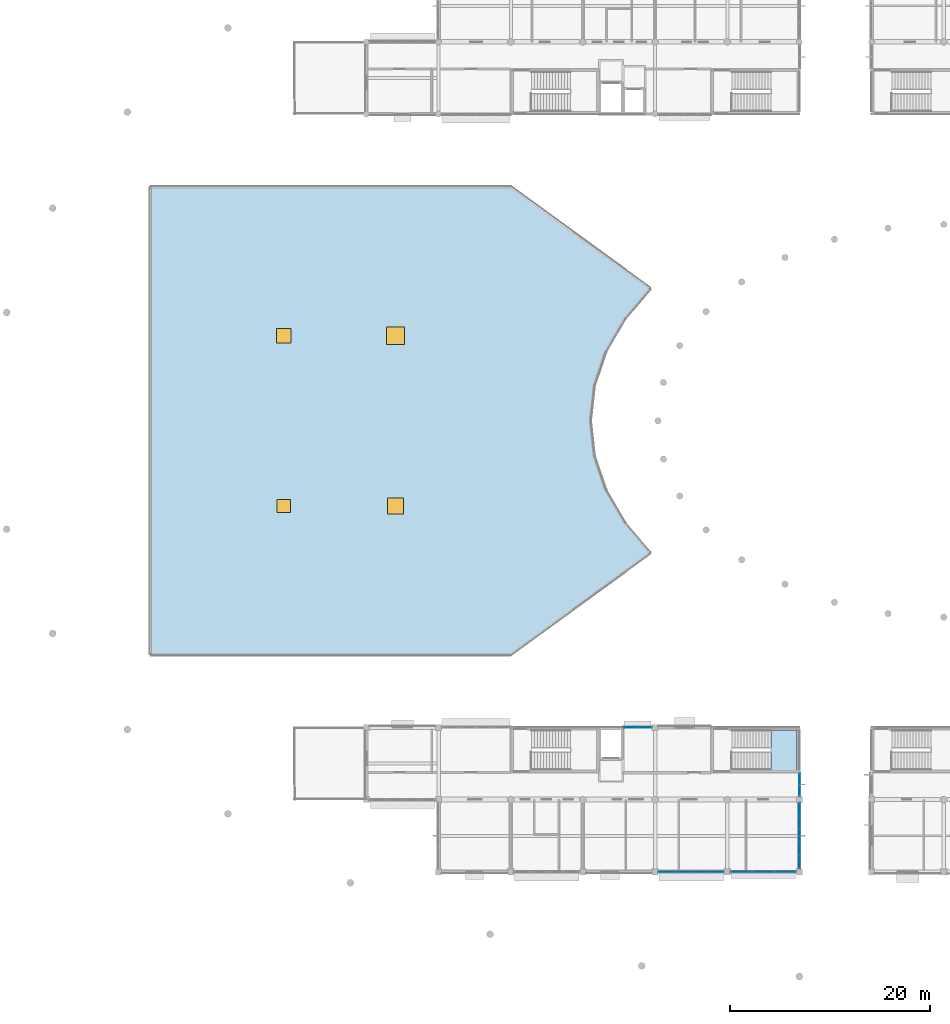
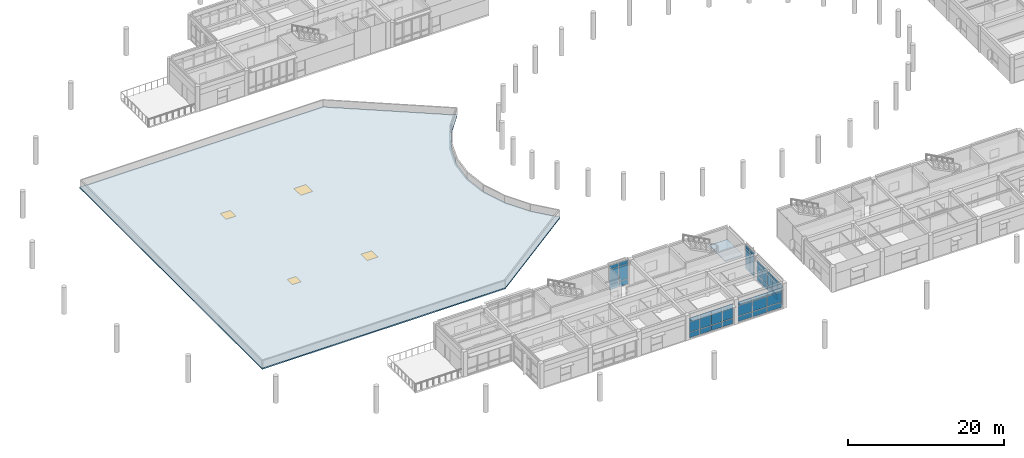
# One storey, part 16 of 55: 48 plates, 4 windows, 2 slabs, 4 openings, 6 elements without a shape of their own.
"""IFC4 building model written with IfcOpenShell, lengths in metres."""

from ifc_helpers import new_model, si_unit, direction, frame, origin, origin_2d, place, context, subcontext, project, spatial, polyline, rectangle, outline, extrude, material, layer, layer_set, type_object, element, fill, aggregate, save


model = new_model("IFC4")

# Units and contexts
model_context = context("Model", 3, precision=1e-05, world=origin(), true_north=direction((0.0, 1.0)))
body_context = subcontext(model_context, "Body", "Model", "MODEL_VIEW")
ifc_project = project(units=[si_unit("LENGTHUNIT", "METRE"), si_unit("AREAUNIT", "SQUARE_METRE"), si_unit("VOLUMEUNIT", "CUBIC_METRE"), si_unit("PLANEANGLEUNIT", "RADIAN"), si_unit("MASSUNIT", "GRAM", prefix="KILO")], contexts=[model_context])

# Site, building, storey
site_placement = place(None, origin())
site = spatial("IfcSite", under=ifc_project, at=site_placement, CompositionType="ELEMENT")
building_placement = place(site_placement, origin())
building = spatial("IfcBuilding", under=site, at=building_placement, Name="Namkhue Oval Health Centre", CompositionType="ELEMENT")
storey_placement = place(building_placement, frame((0.0, 0.0, 9.60009765625)))
storey = spatial("IfcBuildingStorey", under=building, at=storey_placement, Name="L02", CompositionType="ELEMENT", Elevation=9.60009765625)

# Curtain wall, plates
ifc_material_1 = material(Name="Anodised aluminium EN AW-6063 T6", Category="aluminium")
ifc_layer_1 = layer(ifc_material_1, 0.159912109375)
ifc_layer_set_1 = layer_set([ifc_layer_1], Name="Anodised aluminium EN AW-6063 T6")
curtain_wall_type_1 = type_object("IfcCurtainWallType", Name="UNITISED CURTAIN WALL M1800", PredefinedType="NOTDEFINED", material=ifc_layer_set_1)
curtain_wall_1_placement = place(storey_placement, origin())
curtain_wall_1 = element("IfcCurtainWall", 1, at=curtain_wall_1_placement, inside=storey, type_object=curtain_wall_type_1, Name="Volume V4 L02 Unitised Curtain Wall 161", PredefinedType="NOTDEFINED")
ifc_material_2 = material(Name="Thermally broken low-E laminated double glazing", Category="glass")
ifc_layer_2 = layer(ifc_material_2, 0.02587890625)
ifc_layer_set_2 = layer_set([ifc_layer_2], Name="Thermally broken low-E laminated double glazing")
plate_type_1 = type_object("IfcPlateType", Name="CURTAIN WALL GLAZED PANEL 26", PredefinedType="CURTAIN_PANEL", material=ifc_layer_set_2)
plate_1_placement = place(storey_placement, frame((73.1494140625, 14.39990234375, 0.06494140625), z_axis=(0.0, 0.0, 1.0), x_axis=(1.0, 0.0, 0.0)))
plate_1 = element("IfcPlate", 2, at=plate_1_placement, type_object=plate_type_1, Name="CW-05 panel 1.1", PredefinedType="CURTAIN_PANEL", context=body_context, shape_type="SweptSolid", body=[
    extrude(rectangle(XDim=1.547119140625, YDim=0.02587890625, at=origin_2d()), origin(), (0.0, 0.0, 1.0), 0.802490234375),
])
plate_2_placement = place(storey_placement, frame((73.1494140625, 14.39990234375, 0.9326171875), z_axis=(0.0, 0.0, 1.0), x_axis=(1.0, 0.0, 0.0)))
plate_2 = element("IfcPlate", 3, at=plate_2_placement, type_object=plate_type_1, Name="CW-05 panel 1.2", PredefinedType="CURTAIN_PANEL", context=body_context, shape_type="SweptSolid", body=[
    extrude(rectangle(XDim=1.547119140625, YDim=0.02587890625, at=origin_2d()), origin(), (0.0, 0.0, 1.0), 1.635009765625),
])
plate_3_placement = place(storey_placement, frame((73.1494140625, 14.39990234375, 2.63232421875), z_axis=(0.0, 0.0, 1.0), x_axis=(1.0, 0.0, 0.0)))
plate_3 = element("IfcPlate", 4, at=plate_3_placement, type_object=plate_type_1, Name="CW-05 panel 1.3", PredefinedType="CURTAIN_PANEL", context=body_context, shape_type="SweptSolid", body=[
    extrude(rectangle(XDim=1.547119140625, YDim=0.02587890625, at=origin_2d()), origin(), (0.0, 0.0, 1.0), 0.552490234375),
])
plate_4_placement = place(storey_placement, frame((74.77783203125, 14.39990234375, 0.06494140625), z_axis=(0.0, 0.0, 1.0), x_axis=(1.0, 0.0, 0.0)))
plate_4 = element("IfcPlate", 5, at=plate_4_placement, type_object=plate_type_1, Name="CW-05 panel 2.1", PredefinedType="CURTAIN_PANEL", context=body_context, shape_type="SweptSolid", body=[
    extrude(rectangle(XDim=1.57958984375, YDim=0.02587890625, at=origin_2d()), origin(), (0.0, 0.0, 1.0), 0.802490234375),
])
plate_5_placement = place(storey_placement, frame((74.77783203125, 14.39990234375, 0.9326171875), z_axis=(0.0, 0.0, 1.0), x_axis=(1.0, 0.0, 0.0)))
plate_5 = element("IfcPlate", 6, at=plate_5_placement, type_object=plate_type_1, Name="CW-05 panel 2.2", PredefinedType="CURTAIN_PANEL", context=body_context, shape_type="SweptSolid", body=[
    extrude(rectangle(XDim=1.57958984375, YDim=0.02587890625, at=origin_2d()), origin(), (0.0, 0.0, 1.0), 1.635009765625),
])
plate_6_placement = place(storey_placement, frame((74.77783203125, 14.39990234375, 2.63232421875), z_axis=(0.0, 0.0, 1.0), x_axis=(1.0, 0.0, 0.0)))
plate_6 = element("IfcPlate", 7, at=plate_6_placement, type_object=plate_type_1, Name="CW-05 panel 2.3", PredefinedType="CURTAIN_PANEL", context=body_context, shape_type="SweptSolid", body=[
    extrude(rectangle(XDim=1.57958984375, YDim=0.02587890625, at=origin_2d()), origin(), (0.0, 0.0, 1.0), 0.552490234375),
])
plate_7_placement = place(storey_placement, frame((76.42236328125, 14.39990234375, 0.06494140625), z_axis=(0.0, 0.0, 1.0), x_axis=(1.0, 0.0, 0.0)))
plate_7 = element("IfcPlate", 8, at=plate_7_placement, type_object=plate_type_1, Name="CW-05 panel 3.1", PredefinedType="CURTAIN_PANEL", context=body_context, shape_type="SweptSolid", body=[
    extrude(rectangle(XDim=1.57958984375, YDim=0.02587890625, at=origin_2d()), origin(), (0.0, 0.0, 1.0), 0.802490234375),
])
plate_8_placement = place(storey_placement, frame((76.42236328125, 14.39990234375, 0.9326171875), z_axis=(0.0, 0.0, 1.0), x_axis=(1.0, 0.0, 0.0)))
plate_8 = element("IfcPlate", 9, at=plate_8_placement, type_object=plate_type_1, Name="CW-05 panel 3.2", PredefinedType="CURTAIN_PANEL", context=body_context, shape_type="SweptSolid", body=[
    extrude(rectangle(XDim=1.57958984375, YDim=0.02587890625, at=origin_2d()), origin(), (0.0, 0.0, 1.0), 1.635009765625),
])
plate_9_placement = place(storey_placement, frame((76.42236328125, 14.39990234375, 2.63232421875), z_axis=(0.0, 0.0, 1.0), x_axis=(1.0, 0.0, 0.0)))
plate_9 = element("IfcPlate", 10, at=plate_9_placement, type_object=plate_type_1, Name="CW-05 panel 3.3", PredefinedType="CURTAIN_PANEL", context=body_context, shape_type="SweptSolid", body=[
    extrude(rectangle(XDim=1.57958984375, YDim=0.02587890625, at=origin_2d()), origin(), (0.0, 0.0, 1.0), 0.552490234375),
])
plate_10_placement = place(storey_placement, frame((78.050537109375, 14.39990234375, 0.06494140625), z_axis=(0.0, 0.0, 1.0), x_axis=(1.0, 0.0, 0.0)))
plate_10 = element("IfcPlate", 11, at=plate_10_placement, type_object=plate_type_1, Name="CW-05 panel 4.1", PredefinedType="CURTAIN_PANEL", context=body_context, shape_type="SweptSolid", body=[
    extrude(rectangle(XDim=1.547119140625, YDim=0.02587890625, at=origin_2d()), origin(), (0.0, 0.0, 1.0), 0.802490234375),
])
plate_11_placement = place(storey_placement, frame((78.050537109375, 14.39990234375, 0.9326171875), z_axis=(0.0, 0.0, 1.0), x_axis=(1.0, 0.0, 0.0)))
plate_11 = element("IfcPlate", 12, at=plate_11_placement, type_object=plate_type_1, Name="CW-05 panel 4.2", PredefinedType="CURTAIN_PANEL", context=body_context, shape_type="SweptSolid", body=[
    extrude(rectangle(XDim=1.547119140625, YDim=0.02587890625, at=origin_2d()), origin(), (0.0, 0.0, 1.0), 1.635009765625),
])
plate_12_placement = place(storey_placement, frame((78.050537109375, 14.39990234375, 2.63232421875), z_axis=(0.0, 0.0, 1.0), x_axis=(1.0, 0.0, 0.0)))
plate_12 = element("IfcPlate", 13, at=plate_12_placement, type_object=plate_type_1, Name="CW-05 panel 4.3", PredefinedType="CURTAIN_PANEL", context=body_context, shape_type="SweptSolid", body=[
    extrude(rectangle(XDim=1.547119140625, YDim=0.02587890625, at=origin_2d()), origin(), (0.0, 0.0, 1.0), 0.552490234375),
])
aggregate(curtain_wall_1, [plate_1, plate_2, plate_3, plate_4, plate_5, plate_6, plate_7, plate_8, plate_9, plate_10, plate_11, plate_12])

ifc_layer_3 = layer(ifc_material_1, 0.159912109375)
ifc_layer_set_3 = layer_set([ifc_layer_3], Name="Anodised aluminium EN AW-6063 T6")
curtain_wall_type_2 = type_object("IfcCurtainWallType", Name="UNITISED CURTAIN WALL M1500", PredefinedType="NOTDEFINED", material=ifc_layer_set_3)
curtain_wall_2_placement = place(storey_placement, origin())
curtain_wall_2 = element("IfcCurtainWall", 14, at=curtain_wall_2_placement, inside=storey, type_object=curtain_wall_type_2, Name="Volume V4 L02 Unitised Curtain Wall 165", PredefinedType="NOTDEFINED")
plate_13_placement = place(storey_placement, frame((70.954833984375, 28.800048828125, 0.06494140625), z_axis=(0.0, 0.0, 1.0), x_axis=(-1.0, 0.0, 0.0)))
plate_13 = element("IfcPlate", 15, at=plate_13_placement, type_object=plate_type_1, Name="CW-03 panel 1.1", PredefinedType="CURTAIN_PANEL", context=body_context, shape_type="SweptSolid", body=[
    extrude(rectangle(XDim=1.33837890625, YDim=0.02587890625, at=origin_2d()), origin(), (0.0, 0.0, 1.0), 0.802490234375),
])
plate_14_placement = place(storey_placement, frame((70.954833984375, 28.800048828125, 0.9326171875), z_axis=(0.0, 0.0, 1.0), x_axis=(-1.0, 0.0, 0.0)))
plate_14 = element("IfcPlate", 16, at=plate_14_placement, type_object=plate_type_1, Name="CW-03 panel 1.2", PredefinedType="CURTAIN_PANEL", context=body_context, shape_type="SweptSolid", body=[
    extrude(rectangle(XDim=1.33837890625, YDim=0.02587890625, at=origin_2d()), origin(), (0.0, 0.0, 1.0), 2.284912109375),
])
plate_15_placement = place(storey_placement, frame((70.954833984375, 28.800048828125, 3.2822265625), z_axis=(0.0, 0.0, 1.0), x_axis=(-1.0, 0.0, 0.0)))
plate_15 = element("IfcPlate", 17, at=plate_15_placement, type_object=plate_type_1, Name="CW-03 panel 1.3", PredefinedType="CURTAIN_PANEL", context=body_context, shape_type="SweptSolid", body=[
    extrude(rectangle(XDim=1.33837890625, YDim=0.02587890625, at=origin_2d()), origin(), (0.0, 0.0, 1.0), 0.552490234375),
])
plate_16_placement = place(storey_placement, frame((69.55126953125, 28.800048828125, 0.06494140625), z_axis=(0.0, 0.0, 1.0), x_axis=(-1.0, 0.0, 0.0)))
plate_16 = element("IfcPlate", 18, at=plate_16_placement, type_object=plate_type_1, Name="CW-03 panel 2.1", PredefinedType="CURTAIN_PANEL", context=body_context, shape_type="SweptSolid", body=[
    extrude(rectangle(XDim=1.33837890625, YDim=0.02587890625, at=origin_2d()), origin(), (0.0, 0.0, 1.0), 0.802490234375),
])
plate_17_placement = place(storey_placement, frame((69.55126953125, 28.800048828125, 0.9326171875), z_axis=(0.0, 0.0, 1.0), x_axis=(-1.0, 0.0, 0.0)))
plate_17 = element("IfcPlate", 19, at=plate_17_placement, type_object=plate_type_1, Name="CW-03 panel 2.2", PredefinedType="CURTAIN_PANEL", context=body_context, shape_type="SweptSolid", body=[
    extrude(rectangle(XDim=1.33837890625, YDim=0.02587890625, at=origin_2d()), origin(), (0.0, 0.0, 1.0), 2.284912109375),
])
plate_18_placement = place(storey_placement, frame((69.55126953125, 28.800048828125, 3.2822265625), z_axis=(0.0, 0.0, 1.0), x_axis=(-1.0, 0.0, 0.0)))
plate_18 = element("IfcPlate", 20, at=plate_18_placement, type_object=plate_type_1, Name="CW-03 panel 2.3", PredefinedType="CURTAIN_PANEL", context=body_context, shape_type="SweptSolid", body=[
    extrude(rectangle(XDim=1.33837890625, YDim=0.02587890625, at=origin_2d()), origin(), (0.0, 0.0, 1.0), 0.552490234375),
])
aggregate(curtain_wall_2, [plate_13, plate_14, plate_15, plate_16, plate_17, plate_18])

ifc_layer_4 = layer(ifc_material_1, 0.159912109375)
ifc_layer_set_4 = layer_set([ifc_layer_4], Name="Anodised aluminium EN AW-6063 T6")
curtain_wall_type_3 = type_object("IfcCurtainWallType", Name="UNITISED CURTAIN WALL M2000", PredefinedType="NOTDEFINED", material=ifc_layer_set_4)
curtain_wall_3_placement = place(storey_placement, origin())
curtain_wall_3 = element("IfcCurtainWall", 21, at=curtain_wall_3_placement, inside=storey, type_object=curtain_wall_type_3, Name="Volume V4 L02 Unitised Curtain Wall 162", PredefinedType="NOTDEFINED")
ifc_layer_5 = layer(ifc_material_2, 0.028076171875)
ifc_layer_set_5 = layer_set([ifc_layer_5], Name="Thermally broken low-E laminated double glazing")
plate_type_2 = type_object("IfcPlateType", Name="CURTAIN WALL GLAZED PANEL 28", PredefinedType="CURTAIN_PANEL", material=ifc_layer_set_5)
plate_19_placement = place(storey_placement, frame((80.6259765625, 14.39990234375, 0.074951171875), z_axis=(0.0, 0.0, 1.0), x_axis=(1.0, 0.0, 0.0)))
plate_19 = element("IfcPlate", 22, at=plate_19_placement, type_object=plate_type_2, Name="CW-06 panel 1.1", PredefinedType="CURTAIN_PANEL", context=body_context, shape_type="SweptSolid", body=[
    extrude(rectangle(XDim=2.080078125, YDim=0.028076171875, at=origin_2d()), origin(), (0.0, 0.0, 1.0), 0.78759765625),
])
plate_20_placement = place(storey_placement, frame((80.6259765625, 14.39990234375, 0.9375), z_axis=(0.0, 0.0, 1.0), x_axis=(1.0, 0.0, 0.0)))
plate_20 = element("IfcPlate", 23, at=plate_20_placement, type_object=plate_type_2, Name="CW-06 panel 1.2", PredefinedType="CURTAIN_PANEL", context=body_context, shape_type="SweptSolid", body=[
    extrude(rectangle(XDim=2.080078125, YDim=0.028076171875, at=origin_2d()), origin(), (0.0, 0.0, 1.0), 1.625),
])
plate_21_placement = place(storey_placement, frame((80.6259765625, 14.39990234375, 2.637451171875), z_axis=(0.0, 0.0, 1.0), x_axis=(1.0, 0.0, 0.0)))
plate_21 = element("IfcPlate", 24, at=plate_21_placement, type_object=plate_type_2, Name="CW-06 panel 1.3", PredefinedType="CURTAIN_PANEL", context=body_context, shape_type="SweptSolid", body=[
    extrude(rectangle(XDim=2.080078125, YDim=0.028076171875, at=origin_2d()), origin(), (0.0, 0.0, 1.0), 0.53759765625),
])
plate_22_placement = place(storey_placement, frame((82.800048828125, 14.39990234375, 0.074951171875), z_axis=(0.0, 0.0, 1.0), x_axis=(1.0, 0.0, 0.0)))
plate_22 = element("IfcPlate", 25, at=plate_22_placement, type_object=plate_type_2, Name="CW-06 panel 2.1", PredefinedType="CURTAIN_PANEL", context=body_context, shape_type="SweptSolid", body=[
    extrude(rectangle(XDim=2.11767578125, YDim=0.028076171875, at=origin_2d()), origin(), (0.0, 0.0, 1.0), 0.78759765625),
])
plate_23_placement = place(storey_placement, frame((82.800048828125, 14.39990234375, 0.9375), z_axis=(0.0, 0.0, 1.0), x_axis=(1.0, 0.0, 0.0)))
plate_23 = element("IfcPlate", 26, at=plate_23_placement, type_object=plate_type_2, Name="CW-06 panel 2.2", PredefinedType="CURTAIN_PANEL", context=body_context, shape_type="SweptSolid", body=[
    extrude(rectangle(XDim=2.11767578125, YDim=0.028076171875, at=origin_2d()), origin(), (0.0, 0.0, 1.0), 1.625),
])
plate_24_placement = place(storey_placement, frame((82.800048828125, 14.39990234375, 2.637451171875), z_axis=(0.0, 0.0, 1.0), x_axis=(1.0, 0.0, 0.0)))
plate_24 = element("IfcPlate", 27, at=plate_24_placement, type_object=plate_type_2, Name="CW-06 panel 2.3", PredefinedType="CURTAIN_PANEL", context=body_context, shape_type="SweptSolid", body=[
    extrude(rectangle(XDim=2.11767578125, YDim=0.028076171875, at=origin_2d()), origin(), (0.0, 0.0, 1.0), 0.53759765625),
])
plate_25_placement = place(storey_placement, frame((84.973876953125, 14.39990234375, 0.074951171875), z_axis=(0.0, 0.0, 1.0), x_axis=(1.0, 0.0, 0.0)))
plate_25 = element("IfcPlate", 28, at=plate_25_placement, type_object=plate_type_2, Name="CW-06 panel 3.1", PredefinedType="CURTAIN_PANEL", context=body_context, shape_type="SweptSolid", body=[
    extrude(rectangle(XDim=2.080078125, YDim=0.028076171875, at=origin_2d()), origin(), (0.0, 0.0, 1.0), 0.78759765625),
])
plate_26_placement = place(storey_placement, frame((84.973876953125, 14.39990234375, 0.9375), z_axis=(0.0, 0.0, 1.0), x_axis=(1.0, 0.0, 0.0)))
plate_26 = element("IfcPlate", 29, at=plate_26_placement, type_object=plate_type_2, Name="CW-06 panel 3.2", PredefinedType="CURTAIN_PANEL", context=body_context, shape_type="SweptSolid", body=[
    extrude(rectangle(XDim=2.080078125, YDim=0.028076171875, at=origin_2d()), origin(), (0.0, 0.0, 1.0), 1.625),
])
plate_27_placement = place(storey_placement, frame((84.973876953125, 14.39990234375, 2.637451171875), z_axis=(0.0, 0.0, 1.0), x_axis=(1.0, 0.0, 0.0)))
plate_27 = element("IfcPlate", 30, at=plate_27_placement, type_object=plate_type_2, Name="CW-06 panel 3.3", PredefinedType="CURTAIN_PANEL", context=body_context, shape_type="SweptSolid", body=[
    extrude(rectangle(XDim=2.080078125, YDim=0.028076171875, at=origin_2d()), origin(), (0.0, 0.0, 1.0), 0.53759765625),
])
aggregate(curtain_wall_3, [plate_19, plate_20, plate_21, plate_22, plate_23, plate_24, plate_25, plate_26, plate_27])

ifc_layer_6 = layer(ifc_material_1, 0.159912109375)
ifc_layer_set_6 = layer_set([ifc_layer_6], Name="Anodised aluminium EN AW-6063 T6")
curtain_wall_type_4 = type_object("IfcCurtainWallType", Name="UNITISED CURTAIN WALL M1200", PredefinedType="NOTDEFINED", material=ifc_layer_set_6)
curtain_wall_4_placement = place(storey_placement, origin())
curtain_wall_4 = element("IfcCurtainWall", 31, at=curtain_wall_4_placement, inside=storey, type_object=curtain_wall_type_4, Name="Volume V4 L02 Unitised Curtain Wall 163", PredefinedType="NOTDEFINED")
ifc_material_3 = material(Name="Insulated anodised aluminium spandrel panel", Category="aluminium")
ifc_layer_7 = layer(ifc_material_3, 0.031982421875)
ifc_layer_set_7 = layer_set([ifc_layer_7], Name="Insulated anodised aluminium spandrel panel")
plate_type_3 = type_object("IfcPlateType", Name="CURTAIN WALL SPANDREL PANEL 32", PredefinedType="CURTAIN_PANEL", material=ifc_layer_set_7)
plate_28_placement = place(storey_placement, frame((86.39990234375, 15.385009765625, 0.06494140625), z_axis=(0.0, 0.0, 1.0), x_axis=(0.0, 1.0, 0.0)))
plate_28 = element("IfcPlate", 32, at=plate_28_placement, type_object=plate_type_3, Name="CW-01 panel 1.1", PredefinedType="CURTAIN_PANEL", context=body_context, shape_type="SweptSolid", body=[
    extrude(rectangle(XDim=1.218017578125, YDim=0.031982421875, at=origin_2d()), origin(), (0.0, 0.0, 1.0), 0.802490234375),
])
plate_29_placement = place(storey_placement, frame((86.39990234375, 15.385009765625, 0.9326171875), z_axis=(0.0, 0.0, 1.0), x_axis=(0.0, 1.0, 0.0)))
plate_29 = element("IfcPlate", 33, at=plate_29_placement, type_object=plate_type_3, Name="CW-01 panel 1.2", PredefinedType="CURTAIN_PANEL", context=body_context, shape_type="SweptSolid", body=[
    extrude(rectangle(XDim=1.218017578125, YDim=0.031982421875, at=origin_2d()), origin(), (0.0, 0.0, 1.0), 1.635009765625),
])
plate_30_placement = place(storey_placement, frame((86.39990234375, 15.385009765625, 2.63232421875), z_axis=(0.0, 0.0, 1.0), x_axis=(0.0, 1.0, 0.0)))
plate_30 = element("IfcPlate", 34, at=plate_30_placement, type_object=plate_type_3, Name="CW-01 panel 1.3", PredefinedType="CURTAIN_PANEL", context=body_context, shape_type="SweptSolid", body=[
    extrude(rectangle(XDim=1.218017578125, YDim=0.031982421875, at=origin_2d()), origin(), (0.0, 0.0, 1.0), 0.552490234375),
])
plate_31_placement = place(storey_placement, frame((86.39990234375, 16.684326171875, 0.06494140625), z_axis=(0.0, 0.0, 1.0), x_axis=(0.0, 1.0, 0.0)))
plate_31 = element("IfcPlate", 35, at=plate_31_placement, type_object=plate_type_3, Name="CW-01 panel 2.1", PredefinedType="CURTAIN_PANEL", context=body_context, shape_type="SweptSolid", body=[
    extrude(rectangle(XDim=1.25048828125, YDim=0.031982421875, at=origin_2d()), origin(), (0.0, 0.0, 1.0), 0.802490234375),
])
plate_32_placement = place(storey_placement, frame((86.39990234375, 16.684326171875, 0.9326171875), z_axis=(0.0, 0.0, 1.0), x_axis=(0.0, 1.0, 0.0)))
plate_32 = element("IfcPlate", 36, at=plate_32_placement, type_object=plate_type_3, Name="CW-01 panel 2.2", PredefinedType="CURTAIN_PANEL", context=body_context, shape_type="SweptSolid", body=[
    extrude(rectangle(XDim=1.25048828125, YDim=0.031982421875, at=origin_2d()), origin(), (0.0, 0.0, 1.0), 1.635009765625),
])
plate_33_placement = place(storey_placement, frame((86.39990234375, 16.684326171875, 2.63232421875), z_axis=(0.0, 0.0, 1.0), x_axis=(0.0, 1.0, 0.0)))
plate_33 = element("IfcPlate", 37, at=plate_33_placement, type_object=plate_type_3, Name="CW-01 panel 2.3", PredefinedType="CURTAIN_PANEL", context=body_context, shape_type="SweptSolid", body=[
    extrude(rectangle(XDim=1.25048828125, YDim=0.031982421875, at=origin_2d()), origin(), (0.0, 0.0, 1.0), 0.552490234375),
])
plate_34_placement = place(storey_placement, frame((86.39990234375, 18.0, 0.06494140625), z_axis=(0.0, 0.0, 1.0), x_axis=(0.0, 1.0, 0.0)))
plate_34 = element("IfcPlate", 38, at=plate_34_placement, type_object=plate_type_3, Name="CW-01 panel 3.1", PredefinedType="CURTAIN_PANEL", context=body_context, shape_type="SweptSolid", body=[
    extrude(rectangle(XDim=1.25048828125, YDim=0.031982421875, at=origin_2d()), origin(), (0.0, 0.0, 1.0), 0.802490234375),
])
plate_35_placement = place(storey_placement, frame((86.39990234375, 18.0, 0.9326171875), z_axis=(0.0, 0.0, 1.0), x_axis=(0.0, 1.0, 0.0)))
plate_35 = element("IfcPlate", 39, at=plate_35_placement, type_object=plate_type_3, Name="CW-01 panel 3.2", PredefinedType="CURTAIN_PANEL", context=body_context, shape_type="SweptSolid", body=[
    extrude(rectangle(XDim=1.25048828125, YDim=0.031982421875, at=origin_2d()), origin(), (0.0, 0.0, 1.0), 1.635009765625),
])
plate_36_placement = place(storey_placement, frame((86.39990234375, 18.0, 2.63232421875), z_axis=(0.0, 0.0, 1.0), x_axis=(0.0, 1.0, 0.0)))
plate_36 = element("IfcPlate", 40, at=plate_36_placement, type_object=plate_type_3, Name="CW-01 panel 3.3", PredefinedType="CURTAIN_PANEL", context=body_context, shape_type="SweptSolid", body=[
    extrude(rectangle(XDim=1.25048828125, YDim=0.031982421875, at=origin_2d()), origin(), (0.0, 0.0, 1.0), 0.552490234375),
])
plate_37_placement = place(storey_placement, frame((86.39990234375, 19.315673828125, 0.06494140625), z_axis=(0.0, 0.0, 1.0), x_axis=(0.0, 1.0, 0.0)))
plate_37 = element("IfcPlate", 41, at=plate_37_placement, type_object=plate_type_3, Name="CW-01 panel 4.1", PredefinedType="CURTAIN_PANEL", context=body_context, shape_type="SweptSolid", body=[
    extrude(rectangle(XDim=1.25048828125, YDim=0.031982421875, at=origin_2d()), origin(), (0.0, 0.0, 1.0), 0.802490234375),
])
plate_38_placement = place(storey_placement, frame((86.39990234375, 19.315673828125, 0.9326171875), z_axis=(0.0, 0.0, 1.0), x_axis=(0.0, 1.0, 0.0)))
plate_38 = element("IfcPlate", 42, at=plate_38_placement, type_object=plate_type_3, Name="CW-01 panel 4.2", PredefinedType="CURTAIN_PANEL", context=body_context, shape_type="SweptSolid", body=[
    extrude(rectangle(XDim=1.25048828125, YDim=0.031982421875, at=origin_2d()), origin(), (0.0, 0.0, 1.0), 1.635009765625),
])
plate_39_placement = place(storey_placement, frame((86.39990234375, 19.315673828125, 2.63232421875), z_axis=(0.0, 0.0, 1.0), x_axis=(0.0, 1.0, 0.0)))
plate_39 = element("IfcPlate", 43, at=plate_39_placement, type_object=plate_type_3, Name="CW-01 panel 4.3", PredefinedType="CURTAIN_PANEL", context=body_context, shape_type="SweptSolid", body=[
    extrude(rectangle(XDim=1.25048828125, YDim=0.031982421875, at=origin_2d()), origin(), (0.0, 0.0, 1.0), 0.552490234375),
])
plate_40_placement = place(storey_placement, frame((86.39990234375, 20.614990234375, 0.06494140625), z_axis=(0.0, 0.0, 1.0), x_axis=(0.0, 1.0, 0.0)))
plate_40 = element("IfcPlate", 44, at=plate_40_placement, type_object=plate_type_3, Name="CW-01 panel 5.1", PredefinedType="CURTAIN_PANEL", context=body_context, shape_type="SweptSolid", body=[
    extrude(rectangle(XDim=1.218017578125, YDim=0.031982421875, at=origin_2d()), origin(), (0.0, 0.0, 1.0), 0.802490234375),
])
plate_41_placement = place(storey_placement, frame((86.39990234375, 20.614990234375, 0.9326171875), z_axis=(0.0, 0.0, 1.0), x_axis=(0.0, 1.0, 0.0)))
plate_41 = element("IfcPlate", 45, at=plate_41_placement, type_object=plate_type_3, Name="CW-01 panel 5.2", PredefinedType="CURTAIN_PANEL", context=body_context, shape_type="SweptSolid", body=[
    extrude(rectangle(XDim=1.218017578125, YDim=0.031982421875, at=origin_2d()), origin(), (0.0, 0.0, 1.0), 1.635009765625),
])
plate_42_placement = place(storey_placement, frame((86.39990234375, 20.614990234375, 2.63232421875), z_axis=(0.0, 0.0, 1.0), x_axis=(0.0, 1.0, 0.0)))
plate_42 = element("IfcPlate", 46, at=plate_42_placement, type_object=plate_type_3, Name="CW-01 panel 5.3", PredefinedType="CURTAIN_PANEL", context=body_context, shape_type="SweptSolid", body=[
    extrude(rectangle(XDim=1.218017578125, YDim=0.031982421875, at=origin_2d()), origin(), (0.0, 0.0, 1.0), 0.552490234375),
])
aggregate(curtain_wall_4, [plate_28, plate_29, plate_30, plate_31, plate_32, plate_33, plate_34, plate_35, plate_36, plate_37, plate_38, plate_39, plate_40, plate_41, plate_42])

ifc_layer_8 = layer(ifc_material_1, 0.159912109375)
ifc_layer_set_8 = layer_set([ifc_layer_8], Name="Anodised aluminium EN AW-6063 T6")
curtain_wall_type_5 = type_object("IfcCurtainWallType", Name="UNITISED CURTAIN WALL M1350", PredefinedType="NOTDEFINED", material=ifc_layer_set_8)
curtain_wall_5_placement = place(storey_placement, origin())
curtain_wall_5 = element("IfcCurtainWall", 47, at=curtain_wall_5_placement, inside=storey, type_object=curtain_wall_type_5, Name="Volume V4 L02 Unitised Curtain Wall 164", PredefinedType="NOTDEFINED")
ifc_layer_9 = layer(ifc_material_3, 0.035888671875)
ifc_layer_set_9 = layer_set([ifc_layer_9], Name="Insulated anodised aluminium spandrel panel")
plate_type_4 = type_object("IfcPlateType", Name="CURTAIN WALL SPANDREL PANEL 36", PredefinedType="CURTAIN_PANEL", material=ifc_layer_set_9)
plate_43_placement = place(storey_placement, frame((86.39990234375, 22.522705078125, 0.074951171875), z_axis=(0.0, 0.0, 1.0), x_axis=(0.0, 1.0, 0.0)))
plate_43 = element("IfcPlate", 48, at=plate_43_placement, type_object=plate_type_4, Name="CW-02 panel 1.1", PredefinedType="CURTAIN_PANEL", context=body_context, shape_type="SweptSolid", body=[
    extrude(rectangle(XDim=1.073486328125, YDim=0.035888671875, at=origin_2d()), origin(), (0.0, 0.0, 1.0), 0.78759765625),
])
plate_44_placement = place(storey_placement, frame((86.39990234375, 22.522705078125, 0.9375), z_axis=(0.0, 0.0, 1.0), x_axis=(0.0, 1.0, 0.0)))
plate_44 = element("IfcPlate", 49, at=plate_44_placement, type_object=plate_type_4, Name="CW-02 panel 1.2", PredefinedType="CURTAIN_PANEL", context=body_context, shape_type="SweptSolid", body=[
    extrude(rectangle(XDim=1.073486328125, YDim=0.035888671875, at=origin_2d()), origin(), (0.0, 0.0, 1.0), 2.27490234375),
])
plate_45_placement = place(storey_placement, frame((86.39990234375, 22.522705078125, 3.287353515625), z_axis=(0.0, 0.0, 1.0), x_axis=(0.0, 1.0, 0.0)))
plate_45 = element("IfcPlate", 50, at=plate_45_placement, type_object=plate_type_4, Name="CW-02 panel 1.3", PredefinedType="CURTAIN_PANEL", context=body_context, shape_type="SweptSolid", body=[
    extrude(rectangle(XDim=1.073486328125, YDim=0.035888671875, at=origin_2d()), origin(), (0.0, 0.0, 1.0), 0.53759765625),
])
plate_46_placement = place(storey_placement, frame((86.39990234375, 23.671142578125, 0.074951171875), z_axis=(0.0, 0.0, 1.0), x_axis=(0.0, 1.0, 0.0)))
plate_46 = element("IfcPlate", 51, at=plate_46_placement, type_object=plate_type_4, Name="CW-02 panel 2.1", PredefinedType="CURTAIN_PANEL", context=body_context, shape_type="SweptSolid", body=[
    extrude(rectangle(XDim=1.073486328125, YDim=0.035888671875, at=origin_2d()), origin(), (0.0, 0.0, 1.0), 0.78759765625),
])
plate_47_placement = place(storey_placement, frame((86.39990234375, 23.671142578125, 0.9375), z_axis=(0.0, 0.0, 1.0), x_axis=(0.0, 1.0, 0.0)))
plate_47 = element("IfcPlate", 52, at=plate_47_placement, type_object=plate_type_4, Name="CW-02 panel 2.2", PredefinedType="CURTAIN_PANEL", context=body_context, shape_type="SweptSolid", body=[
    extrude(rectangle(XDim=1.073486328125, YDim=0.035888671875, at=origin_2d()), origin(), (0.0, 0.0, 1.0), 2.27490234375),
])
plate_48_placement = place(storey_placement, frame((86.39990234375, 23.671142578125, 3.287353515625), z_axis=(0.0, 0.0, 1.0), x_axis=(0.0, 1.0, 0.0)))
plate_48 = element("IfcPlate", 53, at=plate_48_placement, type_object=plate_type_4, Name="CW-02 panel 2.3", PredefinedType="CURTAIN_PANEL", context=body_context, shape_type="SweptSolid", body=[
    extrude(rectangle(XDim=1.073486328125, YDim=0.035888671875, at=origin_2d()), origin(), (0.0, 0.0, 1.0), 0.53759765625),
])
aggregate(curtain_wall_5, [plate_43, plate_44, plate_45, plate_46, plate_47, plate_48])

# Slab, openings, windows
ifc_material_4 = material(Name="Reinforced concrete C30/37 (TCVN B35)", Category="concrete")
ifc_layer_10 = layer(ifc_material_4, 0.199951171875)
ifc_layer_set_10 = layer_set([ifc_layer_10], Name="Reinforced concrete C30/37 (TCVN B35)")
slab_type_1 = type_object("IfcSlabType", Name="FLAT ROOF SLAB 200", PredefinedType="ROOF", material=ifc_layer_set_10)
slab_1_placement = place(storey_placement, frame((0.0, 0.0, -0.2001953125)))
slab_1 = element("IfcSlab", 54, at=slab_1_placement, inside=storey, type_object=slab_type_1, Name="Volume V1 L02 Main Roof Slab", PredefinedType="ROOF", context=body_context, shape_type="SweptSolid", body=[
    extrude(outline(polyline([(21.60009765625, 36.0), (57.60009765625, 36.0), (71.617919921875, 46.202880859375), (69.029052734375, 49.239990234375), (67.137939453125, 52.5), (65.987060546875, 55.912109375), (65.60009765625, 59.39990234375), (65.987060546875, 62.887939453125), (67.137939453125, 66.300048828125), (69.029052734375, 69.56005859375), (71.617919921875, 72.596923828125), (57.60009765625, 82.800048828125), (21.60009765625, 82.800048828125), (21.60009765625, 36.0)])), origin(), (0.0, 0.0, 1.0), 0.2001953125),
])
opening_1_placement = place(slab_1_placement, frame((34.950927734375, 50.919921875, 0.0)))
opening_1 = element("IfcOpeningElement", 55, at=opening_1_placement, cuts=slab_1, Name="Opening SK-02", PredefinedType="OPENING", context=body_context, shape_type="SweptSolid", body=[
    extrude(rectangle(XDim=1.300048828125, YDim=1.300048828125, at=origin_2d()), frame((0.0, 0.0, -0.010009765625)), (0.0, 0.0, 1.0), 0.22021484375),
])
opening_2_placement = place(slab_1_placement, frame((34.950927734375, 67.8798828125, 0.0)))
opening_2 = element("IfcOpeningElement", 56, at=opening_2_placement, cuts=slab_1, Name="Opening SK-03", PredefinedType="OPENING", context=body_context, shape_type="SweptSolid", body=[
    extrude(rectangle(XDim=1.449951171875, YDim=1.449951171875, at=origin_2d()), frame((0.0, 0.0, -0.010009765625)), (0.0, 0.0, 1.0), 0.22021484375),
])
opening_3_placement = place(slab_1_placement, frame((46.10107421875, 50.919921875, 0.0)))
opening_3 = element("IfcOpeningElement", 57, at=opening_3_placement, cuts=slab_1, Name="Opening SK-04", PredefinedType="OPENING", context=body_context, shape_type="SweptSolid", body=[
    extrude(rectangle(XDim=1.60009765625, YDim=1.60009765625, at=origin_2d()), frame((0.0, 0.0, -0.010009765625)), (0.0, 0.0, 1.0), 0.22021484375),
])
opening_4_placement = place(slab_1_placement, frame((46.10107421875, 67.8798828125, 0.0)))
opening_4 = element("IfcOpeningElement", 58, at=opening_4_placement, cuts=slab_1, Name="Opening SK-05", PredefinedType="OPENING", context=body_context, shape_type="SweptSolid", body=[
    extrude(rectangle(XDim=1.75, YDim=1.75, at=origin_2d()), frame((0.0, 0.0, -0.010009765625)), (0.0, 0.0, 1.0), 0.22021484375),
])
ifc_material_5 = material(Name="Laminated solar-control double-glazed skylight", Category="glass")
window_type_1 = type_object("IfcWindowType", Name="ROOF SKYLIGHT 1300X1300", PartitioningType="SINGLE_PANEL", PredefinedType="SKYLIGHT", material=ifc_material_5)
window_1_placement = place(opening_1_placement, frame((0.0, 0.0, 0.150146484375)))
window_1 = element("IfcWindow", 59, at=window_1_placement, inside=storey, type_object=window_type_1, Name="Volume V1 L02 Roof Skylight 1", OverallHeight=1.300048828125, OverallWidth=1.300048828125, PartitioningType="SINGLE_PANEL", PredefinedType="SKYLIGHT", context=body_context, shape_type="SweptSolid", body=[
    extrude(rectangle(XDim=1.300048828125, YDim=1.300048828125, at=origin_2d()), origin(), (0.0, 0.0, 1.0), 0.050048828125),
])
fill(opening_1, window_1)
window_type_2 = type_object("IfcWindowType", Name="ROOF SKYLIGHT 1450X1450", PartitioningType="SINGLE_PANEL", PredefinedType="SKYLIGHT", material=ifc_material_5)
window_2_placement = place(opening_2_placement, frame((0.0, 0.0, 0.150146484375)))
window_2 = element("IfcWindow", 60, at=window_2_placement, inside=storey, type_object=window_type_2, Name="Volume V1 L02 Roof Skylight 2", OverallHeight=1.449951171875, OverallWidth=1.449951171875, PartitioningType="SINGLE_PANEL", PredefinedType="SKYLIGHT", context=body_context, shape_type="SweptSolid", body=[
    extrude(rectangle(XDim=1.449951171875, YDim=1.449951171875, at=origin_2d()), origin(), (0.0, 0.0, 1.0), 0.050048828125),
])
fill(opening_2, window_2)
window_type_3 = type_object("IfcWindowType", Name="ROOF SKYLIGHT 1600X1600", PartitioningType="SINGLE_PANEL", PredefinedType="SKYLIGHT", material=ifc_material_5)
window_3_placement = place(opening_3_placement, frame((0.0, 0.0, 0.150146484375)))
window_3 = element("IfcWindow", 61, at=window_3_placement, inside=storey, type_object=window_type_3, Name="Volume V1 L02 Roof Skylight 3", OverallHeight=1.60009765625, OverallWidth=1.60009765625, PartitioningType="SINGLE_PANEL", PredefinedType="SKYLIGHT", context=body_context, shape_type="SweptSolid", body=[
    extrude(rectangle(XDim=1.60009765625, YDim=1.60009765625, at=origin_2d()), origin(), (0.0, 0.0, 1.0), 0.050048828125),
])
fill(opening_3, window_3)
window_type_4 = type_object("IfcWindowType", Name="ROOF SKYLIGHT 1750X1750", PartitioningType="SINGLE_PANEL", PredefinedType="SKYLIGHT", material=ifc_material_5)
window_4_placement = place(opening_4_placement, frame((0.0, 0.0, 0.150146484375)))
window_4 = element("IfcWindow", 62, at=window_4_placement, inside=storey, type_object=window_type_4, Name="Volume V1 L02 Roof Skylight 4", OverallHeight=1.75, OverallWidth=1.75, PartitioningType="SINGLE_PANEL", PredefinedType="SKYLIGHT", context=body_context, shape_type="SweptSolid", body=[
    extrude(rectangle(XDim=1.75, YDim=1.75, at=origin_2d()), origin(), (0.0, 0.0, 1.0), 0.050048828125),
])
fill(opening_4, window_4)

# Stair, slab
stair_type = type_object("IfcStairType", Name="DOGLEG EXIT STAIR H4200", PredefinedType="HALF_TURN_STAIR", material=ifc_material_4)
stair_placement = place(storey_placement, origin())
stair = element("IfcStair", 63, at=stair_placement, inside=storey, type_object=stair_type, Name="Protected Exit Stair ST-08 L02", PredefinedType="HALF_TURN_STAIR")
ifc_layer_11 = layer(ifc_material_4, 0.195068359375)
ifc_layer_set_11 = layer_set([ifc_layer_11], Name="Reinforced concrete C30/37 (TCVN B35)")
slab_type_2 = type_object("IfcSlabType", Name="STAIR LANDING SLAB 195", PredefinedType="LANDING", material=ifc_layer_set_11)
slab_2_placement = place(storey_placement, frame((0.0, 0.0, 1.90478515625)))
slab_2 = element("IfcSlab", 64, at=slab_2_placement, type_object=slab_type_2, Name="ST-08 landing 1", PredefinedType="LANDING", context=body_context, shape_type="SweptSolid", body=[
    extrude(outline(polyline([(83.544921875, 24.52490234375), (86.175048828125, 24.52490234375), (86.175048828125, 28.574951171875), (83.544921875, 28.574951171875), (83.544921875, 24.52490234375)])), origin(), (0.0, 0.0, 1.0), 0.195068359375),
])
aggregate(stair, [slab_2])

save(model, "model.ifc")
